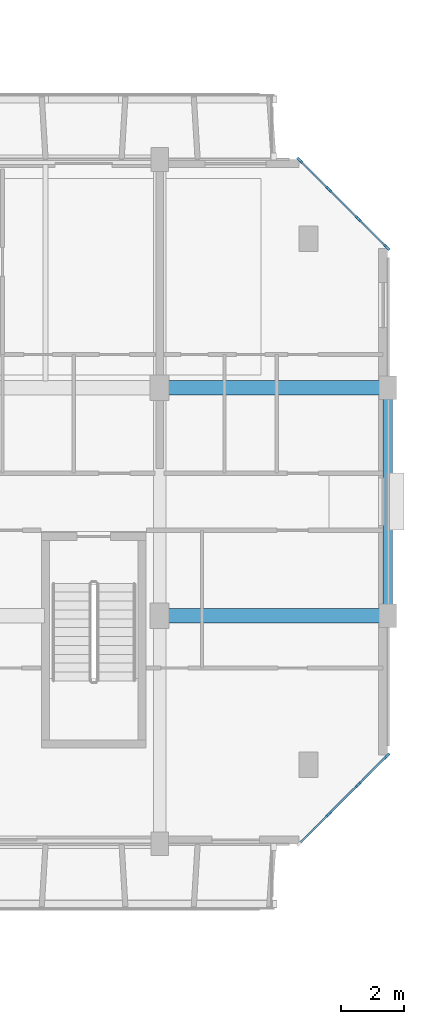
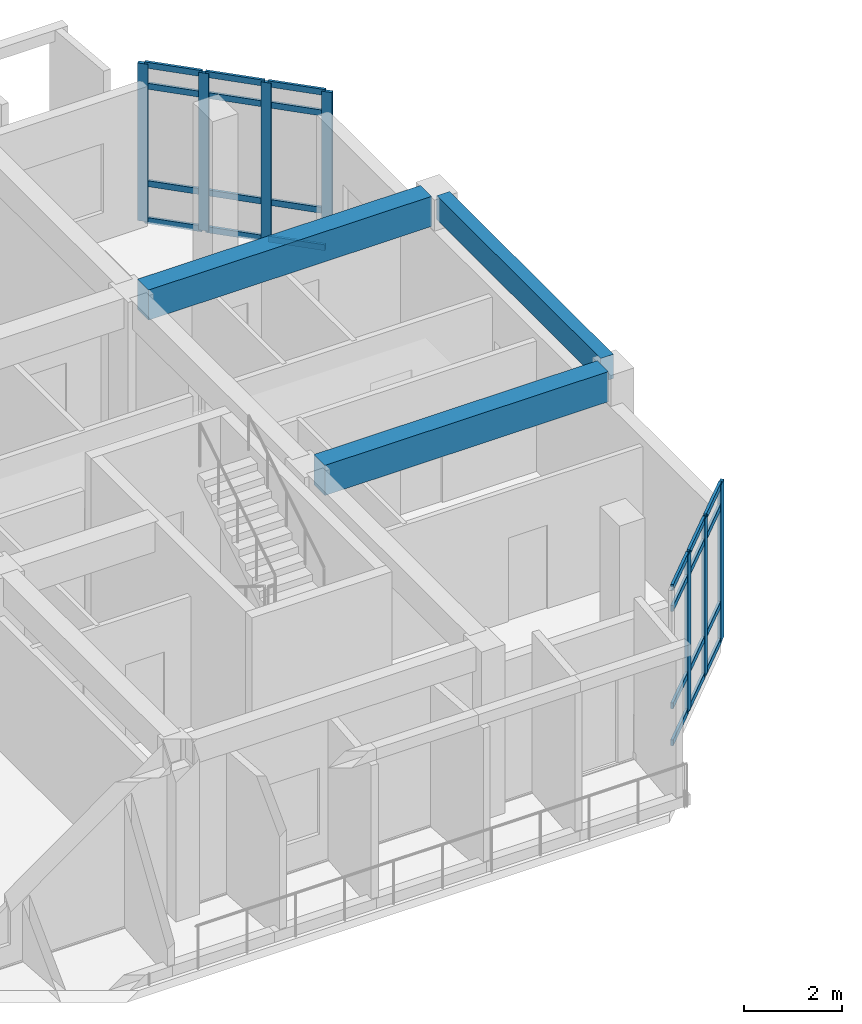
# One storey, part 34 of 85: 31 members, 3 beams, 2 elements without a shape of their own.
"""IFC4 building model written with IfcOpenShell, lengths in metres."""

from ifc_helpers import new_model, si_unit, direction, frame, origin, origin_2d, place, context, subcontext, project, spatial, rectangle, extrude, material, layer, layer_set, material_profile, profile_set, type_object, element, aggregate, save


model = new_model("IFC4")

# Units and contexts
model_context = context("Model", 3, precision=1e-05, world=origin(), true_north=direction((0.0, 1.0)))
body_context = subcontext(model_context, "Body", "Model", "MODEL_VIEW")
ifc_project = project(units=[si_unit("LENGTHUNIT", "METRE"), si_unit("AREAUNIT", "SQUARE_METRE"), si_unit("VOLUMEUNIT", "CUBIC_METRE"), si_unit("PLANEANGLEUNIT", "RADIAN"), si_unit("MASSUNIT", "GRAM", prefix="KILO")], contexts=[model_context])

# Site, building, storey
site_placement = place(None, origin())
site = spatial("IfcSite", under=ifc_project, at=site_placement, CompositionType="ELEMENT")
building_placement = place(site_placement, origin())
building = spatial("IfcBuilding", under=site, at=building_placement, Name="Ochrevale Crest", CompositionType="ELEMENT")
storey_placement = place(building_placement, frame((0.0, 0.0, 4.5)))
storey = spatial("IfcBuildingStorey", under=building, at=storey_placement, Name="L01", CompositionType="ELEMENT", Elevation=4.5)

# Beams
ifc_material_1 = material(Name="Concrete C50/60", Category="concrete")
ifc_material_profile_1 = material_profile(ifc_material_1, rectangle(XDim=0.449951171875, YDim=0.75, at=origin_2d()), Name="RC 450x750")
ifc_profile_set_1 = profile_set([ifc_material_profile_1], Name="Concrete C50/60")
beam_type_1 = type_object("IfcBeamType", Name="BM-PG450x750", PredefinedType="USERDEFINED", material=ifc_profile_set_1)
for number, where, z_axis, x_axis, name in (
    (1, (158.675048828125, 79.199951171875, 3.824951171875), (1.0, 0.0, 0.0), (0.0, 1.0, 0.0), "Block D L01 E-W beam Y=79.2"),
    (2, (158.675048828125, 86.39990234375, 3.824951171875), (1.0, 0.0, 0.0), (0.0, 1.0, 0.0), "Block D L01 E-W beam Y=86.4"),
):
    element("IfcBeam", number, at=place(storey_placement, frame(where, z_axis=z_axis, x_axis=x_axis)), inside=storey, type_object=beam_type_1, Name=name, ObjectType="GIRDER", PredefinedType="USERDEFINED", context=body_context, shape_type="SweptSolid", body=[
        extrude(rectangle(XDim=0.449951171875, YDim=0.75, at=origin_2d()), origin(), (0.0, 0.0, 1.0), 6.675048828125),
    ])
ifc_material_2 = material(Name="Precast concrete C40/50", Category="concrete")
ifc_material_profile_2 = material_profile(ifc_material_2, rectangle(XDim=0.300048828125, YDim=0.60009765625, at=origin_2d()), Name="PC 300x600")
ifc_profile_set_2 = profile_set([ifc_material_profile_2], Name="Precast concrete C40/50")
beam_type_2 = type_object("IfcBeamType", Name="BM-SP300x600", PredefinedType="SPANDREL", material=ifc_profile_set_2)
beam_placement = place(storey_placement, frame((165.60009765625, 79.455078125, 3.89990234375), z_axis=(0.0, 1.0, 0.0), x_axis=(-1.0, 0.0, 0.0)))
element("IfcBeam", 3, at=beam_placement, inside=storey, type_object=beam_type_2, Name="Block D L01 N-S beam X=165.6", PredefinedType="SPANDREL", context=body_context, shape_type="SweptSolid", body=[
    extrude(rectangle(XDim=0.300048828125, YDim=0.60009765625, at=origin_2d()), origin(), (0.0, 0.0, 1.0), 6.68994140625),
])

# Curtain wall, members
ifc_material_3 = material(Name="Anodised aluminium 6063-T5", Category="aluminium")
ifc_layer = layer(ifc_material_3, 0.14990234375)
ifc_layer_set = layer_set([ifc_layer], Name="Anodised aluminium 6063-T5")
curtain_wall_type = type_object("IfcCurtainWallType", Name="CW-WG-360x385", PredefinedType="NOTDEFINED", material=ifc_layer_set)
curtain_wall_1_placement = place(storey_placement, origin())
curtain_wall_1 = element("IfcCurtainWall", 4, at=curtain_wall_1_placement, inside=storey, type_object=curtain_wall_type, Name="Block D L01 chamfered corner wintergarden curtain wall 2", PredefinedType="NOTDEFINED")
ifc_material_profile_3 = material_profile(ifc_material_3, rectangle(XDim=0.074951171875, YDim=0.219970703125, at=origin_2d()), Name="ALU 75x220")
ifc_profile_set_3 = profile_set([ifc_material_profile_3], Name="Anodised aluminium 6063-T5")
member_type_1 = type_object("IfcMemberType", Name="CW-MUL-75x220", PredefinedType="MULLION", material=ifc_profile_set_3)
member_1_placement = place(storey_placement, frame((163.7333984375, 72.933349609375, 0.0), z_axis=(0.0, 0.0, 1.0), x_axis=(-0.707106781187, 0.707106781187, 0.0)))
member_1 = element("IfcMember", 5, at=member_1_placement, type_object=member_type_1, Name="CW20 mullion 2", PredefinedType="MULLION", context=body_context, shape_type="SweptSolid", body=[
    extrude(rectangle(XDim=0.074951171875, YDim=0.219970703125, at=origin_2d()), origin(), (0.0, 0.0, 1.0), 3.925048828125),
])
member_2_placement = place(storey_placement, frame((164.666748046875, 73.86669921875, 0.0), z_axis=(0.0, 0.0, 1.0), x_axis=(-0.707106781187, 0.707106781187, 0.0)))
member_2 = element("IfcMember", 6, at=member_2_placement, type_object=member_type_1, Name="CW20 mullion 3", PredefinedType="MULLION", context=body_context, shape_type="SweptSolid", body=[
    extrude(rectangle(XDim=0.074951171875, YDim=0.219970703125, at=origin_2d()), origin(), (0.0, 0.0, 1.0), 3.925048828125),
])
member_3_placement = place(storey_placement, frame((165.573486328125, 74.7734375, 0.0), z_axis=(0.0, 0.0, 1.0), x_axis=(-0.707106781187, 0.707106781187, 0.0)))
member_3 = element("IfcMember", 7, at=member_3_placement, type_object=member_type_1, Name="CW20 mullion 4", PredefinedType="MULLION", context=body_context, shape_type="SweptSolid", body=[
    extrude(rectangle(XDim=0.074951171875, YDim=0.219970703125, at=origin_2d()), origin(), (0.0, 0.0, 1.0), 3.925048828125),
])

curtain_wall_2_placement = place(storey_placement, origin())
curtain_wall_2 = element("IfcCurtainWall", 8, at=curtain_wall_2_placement, inside=storey, type_object=curtain_wall_type, Name="Block D L01 chamfered corner wintergarden curtain wall 4", PredefinedType="NOTDEFINED")
member_4_placement = place(storey_placement, frame((165.573486328125, 90.826416015625, 0.0), z_axis=(0.0, 0.0, 1.0), x_axis=(-0.707106781187, -0.707106781187, 0.0)))
member_4 = element("IfcMember", 9, at=member_4_placement, type_object=member_type_1, Name="CW20 mullion 1", PredefinedType="MULLION", context=body_context, shape_type="SweptSolid", body=[
    extrude(rectangle(XDim=0.074951171875, YDim=0.219970703125, at=origin_2d()), origin(), (0.0, 0.0, 1.0), 3.925048828125),
])
member_5_placement = place(storey_placement, frame((164.666748046875, 91.7333984375, 0.0), z_axis=(0.0, 0.0, 1.0), x_axis=(-0.707106781187, -0.707106781187, 0.0)))
member_5 = element("IfcMember", 10, at=member_5_placement, type_object=member_type_1, Name="CW20 mullion 2", PredefinedType="MULLION", context=body_context, shape_type="SweptSolid", body=[
    extrude(rectangle(XDim=0.074951171875, YDim=0.219970703125, at=origin_2d()), origin(), (0.0, 0.0, 1.0), 3.925048828125),
])
member_6_placement = place(storey_placement, frame((163.7333984375, 92.666748046875, 0.0), z_axis=(0.0, 0.0, 1.0), x_axis=(-0.707106781187, -0.707106781187, 0.0)))
member_6 = element("IfcMember", 11, at=member_6_placement, type_object=member_type_1, Name="CW20 mullion 3", PredefinedType="MULLION", context=body_context, shape_type="SweptSolid", body=[
    extrude(rectangle(XDim=0.074951171875, YDim=0.219970703125, at=origin_2d()), origin(), (0.0, 0.0, 1.0), 3.925048828125),
])
member_7_placement = place(storey_placement, frame((162.826416015625, 93.573486328125, 0.0), z_axis=(0.0, 0.0, 1.0), x_axis=(-0.707106781187, -0.707106781187, 0.0)))
member_7 = element("IfcMember", 12, at=member_7_placement, type_object=member_type_1, Name="CW20 mullion 4", PredefinedType="MULLION", context=body_context, shape_type="SweptSolid", body=[
    extrude(rectangle(XDim=0.074951171875, YDim=0.219970703125, at=origin_2d()), origin(), (0.0, 0.0, 1.0), 3.925048828125),
])

# Member
ifc_material_profile_4 = material_profile(ifc_material_3, rectangle(XDim=0.06005859375, YDim=0.14990234375, at=origin_2d()), Name="ALU 60x150")
ifc_profile_set_4 = profile_set([ifc_material_profile_4], Name="Anodised aluminium 6063-T5")
member_type_2 = type_object("IfcMemberType", Name="CW-TRN-60x150", PredefinedType="USERDEFINED", material=ifc_profile_set_4)
member_8_placement = place(storey_placement, frame((162.85302734375, 72.052978515625, 0.030029296875), z_axis=(0.707106781187, 0.707106781187, 0.0), x_axis=(-0.707106781187, 0.707106781187, 0.0)))
member_8 = element("IfcMember", 13, at=member_8_placement, type_object=member_type_2, Name="CW20 transom 1.1", ObjectType="TRANSOM", PredefinedType="USERDEFINED", context=body_context, shape_type="SweptSolid", body=[
    extrude(rectangle(XDim=0.06005859375, YDim=0.14990234375, at=origin_2d()), origin(), (0.0, 0.0, 1.0), 1.20751953125),
])

member_9_placement = place(storey_placement, frame((162.85302734375, 72.052978515625, 0.949951171875), z_axis=(0.707106781187, 0.707106781187, 0.0), x_axis=(-0.707106781187, 0.707106781187, 0.0)))
member_9 = element("IfcMember", 14, at=member_9_placement, type_object=member_type_2, Name="CW20 transom 1.2", ObjectType="TRANSOM", PredefinedType="USERDEFINED", context=body_context, shape_type="SweptSolid", body=[
    extrude(rectangle(XDim=0.06005859375, YDim=0.14990234375, at=origin_2d()), origin(), (0.0, 0.0, 1.0), 1.20751953125),
])

member_10_placement = place(storey_placement, frame((162.85302734375, 72.052978515625, 3.375), z_axis=(0.707106781187, 0.707106781187, 0.0), x_axis=(-0.707106781187, 0.707106781187, 0.0)))
member_10 = element("IfcMember", 15, at=member_10_placement, type_object=member_type_2, Name="CW20 transom 1.3", ObjectType="TRANSOM", PredefinedType="USERDEFINED", context=body_context, shape_type="SweptSolid", body=[
    extrude(rectangle(XDim=0.06005859375, YDim=0.14990234375, at=origin_2d()), origin(), (0.0, 0.0, 1.0), 1.20751953125),
])

member_11_placement = place(storey_placement, frame((162.85302734375, 72.052978515625, 3.89501953125), z_axis=(0.707106781187, 0.707106781187, 0.0), x_axis=(-0.707106781187, 0.707106781187, 0.0)))
member_11 = element("IfcMember", 16, at=member_11_placement, type_object=member_type_2, Name="CW20 transom 1.4", ObjectType="TRANSOM", PredefinedType="USERDEFINED", context=body_context, shape_type="SweptSolid", body=[
    extrude(rectangle(XDim=0.06005859375, YDim=0.14990234375, at=origin_2d()), origin(), (0.0, 0.0, 1.0), 1.20751953125),
])

member_12_placement = place(storey_placement, frame((163.759765625, 72.9599609375, 0.030029296875), z_axis=(0.707204833848, 0.707008714926, 0.0), x_axis=(-0.707008714926, 0.707204833848, 0.0)))
member_12 = element("IfcMember", 17, at=member_12_placement, type_object=member_type_2, Name="CW20 transom 2.1", ObjectType="TRANSOM", PredefinedType="USERDEFINED", context=body_context, shape_type="SweptSolid", body=[
    extrude(rectangle(XDim=0.06005859375, YDim=0.14990234375, at=origin_2d()), origin(), (0.0, 0.0, 1.0), 1.244873046875),
])

member_13_placement = place(storey_placement, frame((163.759765625, 72.9599609375, 0.949951171875), z_axis=(0.707204833848, 0.707008714926, 0.0), x_axis=(-0.707008714926, 0.707204833848, 0.0)))
member_13 = element("IfcMember", 18, at=member_13_placement, type_object=member_type_2, Name="CW20 transom 2.2", ObjectType="TRANSOM", PredefinedType="USERDEFINED", context=body_context, shape_type="SweptSolid", body=[
    extrude(rectangle(XDim=0.06005859375, YDim=0.14990234375, at=origin_2d()), origin(), (0.0, 0.0, 1.0), 1.244873046875),
])

member_14_placement = place(storey_placement, frame((163.759765625, 72.9599609375, 3.375), z_axis=(0.707204833848, 0.707008714926, 0.0), x_axis=(-0.707008714926, 0.707204833848, 0.0)))
member_14 = element("IfcMember", 19, at=member_14_placement, type_object=member_type_2, Name="CW20 transom 2.3", ObjectType="TRANSOM", PredefinedType="USERDEFINED", context=body_context, shape_type="SweptSolid", body=[
    extrude(rectangle(XDim=0.06005859375, YDim=0.14990234375, at=origin_2d()), origin(), (0.0, 0.0, 1.0), 1.244873046875),
])

member_15_placement = place(storey_placement, frame((163.759765625, 72.9599609375, 3.89501953125), z_axis=(0.707204833848, 0.707008714926, 0.0), x_axis=(-0.707008714926, 0.707204833848, 0.0)))
member_15 = element("IfcMember", 20, at=member_15_placement, type_object=member_type_2, Name="CW20 transom 2.4", ObjectType="TRANSOM", PredefinedType="USERDEFINED", context=body_context, shape_type="SweptSolid", body=[
    extrude(rectangle(XDim=0.06005859375, YDim=0.14990234375, at=origin_2d()), origin(), (0.0, 0.0, 1.0), 1.244873046875),
])

member_16_placement = place(storey_placement, frame((164.693115234375, 73.89306640625, 0.030029296875), z_axis=(0.707005686502, 0.70720786142, 0.0), x_axis=(-0.70720786142, 0.707005686502, 0.0)))
member_16 = element("IfcMember", 21, at=member_16_placement, type_object=member_type_2, Name="CW20 transom 3.1", ObjectType="TRANSOM", PredefinedType="USERDEFINED", context=body_context, shape_type="SweptSolid", body=[
    extrude(rectangle(XDim=0.06005859375, YDim=0.14990234375, at=origin_2d()), origin(), (0.0, 0.0, 1.0), 1.20751953125),
])

member_17_placement = place(storey_placement, frame((164.693115234375, 73.89306640625, 0.949951171875), z_axis=(0.707005686502, 0.70720786142, 0.0), x_axis=(-0.70720786142, 0.707005686502, 0.0)))
member_17 = element("IfcMember", 22, at=member_17_placement, type_object=member_type_2, Name="CW20 transom 3.2", ObjectType="TRANSOM", PredefinedType="USERDEFINED", context=body_context, shape_type="SweptSolid", body=[
    extrude(rectangle(XDim=0.06005859375, YDim=0.14990234375, at=origin_2d()), origin(), (0.0, 0.0, 1.0), 1.20751953125),
])

member_18_placement = place(storey_placement, frame((164.693115234375, 73.89306640625, 3.375), z_axis=(0.707005686502, 0.70720786142, 0.0), x_axis=(-0.70720786142, 0.707005686502, 0.0)))
member_18 = element("IfcMember", 23, at=member_18_placement, type_object=member_type_2, Name="CW20 transom 3.3", ObjectType="TRANSOM", PredefinedType="USERDEFINED", context=body_context, shape_type="SweptSolid", body=[
    extrude(rectangle(XDim=0.06005859375, YDim=0.14990234375, at=origin_2d()), origin(), (0.0, 0.0, 1.0), 1.20751953125),
])

member_19_placement = place(storey_placement, frame((164.693115234375, 73.89306640625, 3.89501953125), z_axis=(0.707005686502, 0.70720786142, 0.0), x_axis=(-0.70720786142, 0.707005686502, 0.0)))
member_19 = element("IfcMember", 24, at=member_19_placement, type_object=member_type_2, Name="CW20 transom 3.4", ObjectType="TRANSOM", PredefinedType="USERDEFINED", context=body_context, shape_type="SweptSolid", body=[
    extrude(rectangle(XDim=0.06005859375, YDim=0.14990234375, at=origin_2d()), origin(), (0.0, 0.0, 1.0), 1.20751953125),
])

aggregate(curtain_wall_1, [member_1, member_2, member_3, member_8, member_9, member_10, member_11, member_12, member_13, member_14, member_15, member_16, member_17, member_18, member_19])

member_20_placement = place(storey_placement, frame((165.546875, 90.85302734375, 0.030029296875), z_axis=(-0.707106781187, 0.707106781187, 0.0), x_axis=(-0.707106781187, -0.707106781187, 0.0)))
member_20 = element("IfcMember", 25, at=member_20_placement, type_object=member_type_2, Name="CW20 transom 1.1", ObjectType="TRANSOM", PredefinedType="USERDEFINED", context=body_context, shape_type="SweptSolid", body=[
    extrude(rectangle(XDim=0.06005859375, YDim=0.14990234375, at=origin_2d()), origin(), (0.0, 0.0, 1.0), 1.20751953125),
])

member_21_placement = place(storey_placement, frame((165.546875, 90.85302734375, 0.949951171875), z_axis=(-0.707106781187, 0.707106781187, 0.0), x_axis=(-0.707106781187, -0.707106781187, 0.0)))
member_21 = element("IfcMember", 26, at=member_21_placement, type_object=member_type_2, Name="CW20 transom 1.2", ObjectType="TRANSOM", PredefinedType="USERDEFINED", context=body_context, shape_type="SweptSolid", body=[
    extrude(rectangle(XDim=0.06005859375, YDim=0.14990234375, at=origin_2d()), origin(), (0.0, 0.0, 1.0), 1.20751953125),
])

member_22_placement = place(storey_placement, frame((165.546875, 90.85302734375, 3.375), z_axis=(-0.707106781187, 0.707106781187, 0.0), x_axis=(-0.707106781187, -0.707106781187, 0.0)))
member_22 = element("IfcMember", 27, at=member_22_placement, type_object=member_type_2, Name="CW20 transom 1.3", ObjectType="TRANSOM", PredefinedType="USERDEFINED", context=body_context, shape_type="SweptSolid", body=[
    extrude(rectangle(XDim=0.06005859375, YDim=0.14990234375, at=origin_2d()), origin(), (0.0, 0.0, 1.0), 1.20751953125),
])

member_23_placement = place(storey_placement, frame((165.546875, 90.85302734375, 3.89501953125), z_axis=(-0.707106781187, 0.707106781187, 0.0), x_axis=(-0.707106781187, -0.707106781187, 0.0)))
member_23 = element("IfcMember", 28, at=member_23_placement, type_object=member_type_2, Name="CW20 transom 1.4", ObjectType="TRANSOM", PredefinedType="USERDEFINED", context=body_context, shape_type="SweptSolid", body=[
    extrude(rectangle(XDim=0.06005859375, YDim=0.14990234375, at=origin_2d()), origin(), (0.0, 0.0, 1.0), 1.20751953125),
])

member_24_placement = place(storey_placement, frame((164.64013671875, 91.759765625, 0.030029296875), z_axis=(-0.707106781187, 0.707106781187, 0.0), x_axis=(-0.707106781187, -0.707106781187, 0.0)))
member_24 = element("IfcMember", 29, at=member_24_placement, type_object=member_type_2, Name="CW20 transom 2.1", ObjectType="TRANSOM", PredefinedType="USERDEFINED", context=body_context, shape_type="SweptSolid", body=[
    extrude(rectangle(XDim=0.06005859375, YDim=0.14990234375, at=origin_2d()), origin(), (0.0, 0.0, 1.0), 1.2451171875),
])

member_25_placement = place(storey_placement, frame((164.64013671875, 91.759765625, 0.949951171875), z_axis=(-0.707106781187, 0.707106781187, 0.0), x_axis=(-0.707106781187, -0.707106781187, 0.0)))
member_25 = element("IfcMember", 30, at=member_25_placement, type_object=member_type_2, Name="CW20 transom 2.2", ObjectType="TRANSOM", PredefinedType="USERDEFINED", context=body_context, shape_type="SweptSolid", body=[
    extrude(rectangle(XDim=0.06005859375, YDim=0.14990234375, at=origin_2d()), origin(), (0.0, 0.0, 1.0), 1.2451171875),
])

member_26_placement = place(storey_placement, frame((164.64013671875, 91.759765625, 3.375), z_axis=(-0.707106781187, 0.707106781187, 0.0), x_axis=(-0.707106781187, -0.707106781187, 0.0)))
member_26 = element("IfcMember", 31, at=member_26_placement, type_object=member_type_2, Name="CW20 transom 2.3", ObjectType="TRANSOM", PredefinedType="USERDEFINED", context=body_context, shape_type="SweptSolid", body=[
    extrude(rectangle(XDim=0.06005859375, YDim=0.14990234375, at=origin_2d()), origin(), (0.0, 0.0, 1.0), 1.2451171875),
])

member_27_placement = place(storey_placement, frame((164.64013671875, 91.759765625, 3.89501953125), z_axis=(-0.707106781187, 0.707106781187, 0.0), x_axis=(-0.707106781187, -0.707106781187, 0.0)))
member_27 = element("IfcMember", 32, at=member_27_placement, type_object=member_type_2, Name="CW20 transom 2.4", ObjectType="TRANSOM", PredefinedType="USERDEFINED", context=body_context, shape_type="SweptSolid", body=[
    extrude(rectangle(XDim=0.06005859375, YDim=0.14990234375, at=origin_2d()), origin(), (0.0, 0.0, 1.0), 1.2451171875),
])

member_28_placement = place(storey_placement, frame((163.706787109375, 92.693115234375, 0.030029296875), z_axis=(-0.707106781187, 0.707106781187, 0.0), x_axis=(-0.707106781187, -0.707106781187, 0.0)))
member_28 = element("IfcMember", 33, at=member_28_placement, type_object=member_type_2, Name="CW20 transom 3.1", ObjectType="TRANSOM", PredefinedType="USERDEFINED", context=body_context, shape_type="SweptSolid", body=[
    extrude(rectangle(XDim=0.06005859375, YDim=0.14990234375, at=origin_2d()), origin(), (0.0, 0.0, 1.0), 1.20751953125),
])

member_29_placement = place(storey_placement, frame((163.706787109375, 92.693115234375, 0.949951171875), z_axis=(-0.707106781187, 0.707106781187, 0.0), x_axis=(-0.707106781187, -0.707106781187, 0.0)))
member_29 = element("IfcMember", 34, at=member_29_placement, type_object=member_type_2, Name="CW20 transom 3.2", ObjectType="TRANSOM", PredefinedType="USERDEFINED", context=body_context, shape_type="SweptSolid", body=[
    extrude(rectangle(XDim=0.06005859375, YDim=0.14990234375, at=origin_2d()), origin(), (0.0, 0.0, 1.0), 1.20751953125),
])

member_30_placement = place(storey_placement, frame((163.706787109375, 92.693115234375, 3.375), z_axis=(-0.707106781187, 0.707106781187, 0.0), x_axis=(-0.707106781187, -0.707106781187, 0.0)))
member_30 = element("IfcMember", 35, at=member_30_placement, type_object=member_type_2, Name="CW20 transom 3.3", ObjectType="TRANSOM", PredefinedType="USERDEFINED", context=body_context, shape_type="SweptSolid", body=[
    extrude(rectangle(XDim=0.06005859375, YDim=0.14990234375, at=origin_2d()), origin(), (0.0, 0.0, 1.0), 1.20751953125),
])

member_31_placement = place(storey_placement, frame((163.706787109375, 92.693115234375, 3.89501953125), z_axis=(-0.707106781187, 0.707106781187, 0.0), x_axis=(-0.707106781187, -0.707106781187, 0.0)))
member_31 = element("IfcMember", 36, at=member_31_placement, type_object=member_type_2, Name="CW20 transom 3.4", ObjectType="TRANSOM", PredefinedType="USERDEFINED", context=body_context, shape_type="SweptSolid", body=[
    extrude(rectangle(XDim=0.06005859375, YDim=0.14990234375, at=origin_2d()), origin(), (0.0, 0.0, 1.0), 1.20751953125),
])

aggregate(curtain_wall_2, [member_4, member_5, member_6, member_7, member_20, member_21, member_22, member_23, member_24, member_25, member_26, member_27, member_28, member_29, member_30, member_31])

save(model, "model.ifc")
